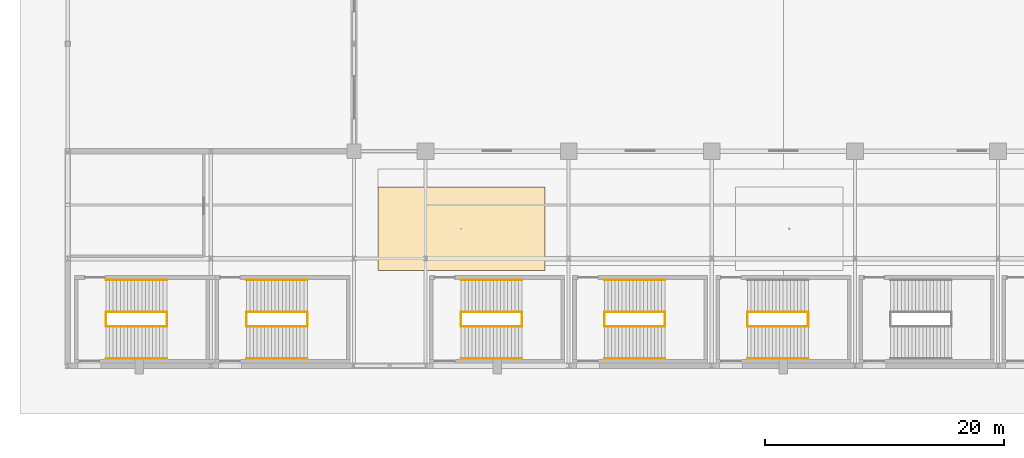
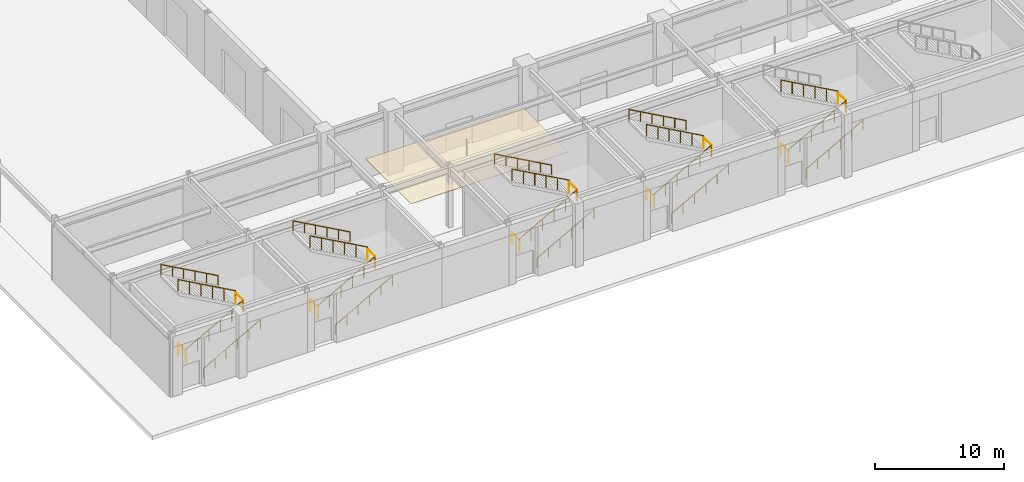
# One storey, part 36 of 44: 29 railings, 1 covering.
"""IFC4 building model written with IfcOpenShell, lengths in metres."""

from ifc_helpers import new_model, si_unit, direction, frame, origin, origin_2d, place, context, subcontext, project, spatial, polyline, circle, outline, extrude, material, layer, layer_set, type_object, element, save


model = new_model("IFC4")

# Units and contexts
model_context = context("Model", 3, precision=1e-05, world=origin(), true_north=direction((0.0, 1.0)))
body_context = subcontext(model_context, "Body", "Model", "MODEL_VIEW")
ifc_project = project(units=[si_unit("LENGTHUNIT", "METRE"), si_unit("AREAUNIT", "SQUARE_METRE"), si_unit("VOLUMEUNIT", "CUBIC_METRE"), si_unit("PLANEANGLEUNIT", "RADIAN"), si_unit("MASSUNIT", "GRAM", prefix="KILO")], contexts=[model_context])

# Site, building, storey
site_placement = place(None, origin())
site = spatial("IfcSite", under=ifc_project, at=site_placement, CompositionType="ELEMENT")
building_placement = place(site_placement, origin())
building = spatial("IfcBuilding", under=site, at=building_placement, Name="Kaldorvane Square Convention Centre", CompositionType="ELEMENT")
storey_placement = place(building_placement, origin())
storey = spatial("IfcBuildingStorey", under=building, at=storey_placement, Name="L00", CompositionType="ELEMENT", Elevation=0.0)

# Covering
ifc_material_1 = material(Name="Perforated Acoustic Mineral Fiber Ceiling")
ifc_layer = layer(ifc_material_1, 0.0399932861328125)
ifc_layer_set = layer_set([ifc_layer], Name="Perforated Acoustic Mineral Fiber Ceiling")
covering_type = type_object("IfcCoveringType", Name="CV-CEIL-040", PredefinedType="CEILING", material=ifc_layer_set)
covering_placement = place(storey_placement, frame((0.0, 0.0, 4.100006103515625)))
element("IfcCovering", 1, at=covering_placement, inside=storey, type_object=covering_type, Name="Acoustic Ceiling Canopy 01 (L00)", PredefinedType="CEILING", context=body_context, shape_type="SweptSolid", body=[
    extrude(outline(polyline([(26.0, 8.0), (40.0, 8.0), (40.0, 15.0), (26.0, 15.0), (26.0, 8.0)])), origin(), (0.0, 0.0, 1.0), 0.0399932861328125),
])

# Railings
ifc_material_2 = material(Name="Architectural Painted Steel", Category="steel")
railing_type_1 = type_object("IfcRailingType", Name="RL-GUARD-1120", PredefinedType="BALUSTRADE", material=ifc_material_2)
for number, where, name in (
    (2, (3.2100067138671875, 3.30999755859375, 0.0), "Convention Exit Stair C1 Floor Well Guard (L00)"),
    (3, (8.30999755859375, 3.30999755859375, 3.0), "Convention Exit Stair C1 Half-Landing Guard (L00)"),
):
    element("IfcRailing", number, at=place(storey_placement, frame(where)), inside=storey, type_object=railing_type_1, Name=name, PredefinedType="BALUSTRADE", context=body_context, shape_type="SweptSolid", body=[
        extrude(circle(Radius=0.0240020751953125, at=origin_2d()), frame((0.0, 0.0, 1.0959930419921875), z_axis=(0.0, 1.0, 0.0), x_axis=(-1.0, 0.0, 0.0)), (0.0, 0.0, 1.0), 1.19000244140625),
        extrude(circle(Radius=0.02099609375, at=origin_2d()), origin(), (0.0, 0.0, 1.0), 1.071990966796875),
        extrude(circle(Radius=0.02099609375, at=origin_2d()), frame((0.0, 1.19000244140625, 0.0)), (0.0, 0.0, 1.0), 1.071990966796875),
    ])
railing_1_placement = place(storey_placement, frame((3.2100067138671875, 3.3000030517578125, 0.1666717529296875)))
element("IfcRailing", 4, at=railing_1_placement, inside=storey, type_object=railing_type_1, Name="Convention Exit Stair C1 Flight 1 Guard (L00)", PredefinedType="BALUSTRADE", context=body_context, shape_type="SweptSolid", body=[
    extrude(circle(Radius=0.0240020751953125, at=origin_2d()), frame((0.0, 0.0, 1.0959930419921875), z_axis=(0.874157276122, 0.0, 0.485642931179), x_axis=(0.0, 1.0, 0.0)), (0.0, 0.0, 1.0), 5.8341827392578125),
    extrude(circle(Radius=0.02099609375, at=origin_2d()), origin(), (0.0, 0.0, 1.0), 1.071990966796875),
    extrude(circle(Radius=0.02099609375, at=origin_2d()), frame((1.0200042724609375, 0.0, 0.5666656494140625)), (0.0, 0.0, 1.0), 1.071990966796875),
    extrude(circle(Radius=0.02099609375, at=origin_2d()), frame((2.0399932861328125, 0.0, 1.133331298828125)), (0.0, 0.0, 1.0), 1.071990966796875),
    extrude(circle(Radius=0.02099609375, at=origin_2d()), frame((3.05999755859375, 0.0, 1.6999969482421875)), (0.0, 0.0, 1.0), 1.071990966796875),
    extrude(circle(Radius=0.02099609375, at=origin_2d()), frame((4.079986572265625, 0.0, 2.26666259765625)), (0.0, 0.0, 1.0), 1.071990966796875),
    extrude(circle(Radius=0.02099609375, at=origin_2d()), frame((5.0999908447265625, 0.0, 2.8333282470703125)), (0.0, 0.0, 1.0), 1.071990966796875),
])
railing_2_placement = place(storey_placement, frame((8.30999755859375, 4.5099945068359375, 3.1666717529296875)))
element("IfcRailing", 5, at=railing_2_placement, inside=storey, type_object=railing_type_1, Name="Convention Exit Stair C1 Flight 2 Guard (L00)", PredefinedType="BALUSTRADE", context=body_context, shape_type="SweptSolid", body=[
    extrude(circle(Radius=0.0240020751953125, at=origin_2d()), frame((0.0, 0.0, 1.0959930419921875), z_axis=(-0.874157276122, 0.0, 0.485642931179), x_axis=(0.0, -1.0, 0.0)), (0.0, 0.0, 1.0), 5.8341827392578125),
    extrude(circle(Radius=0.02099609375, at=origin_2d()), origin(), (0.0, 0.0, 1.0), 1.071990966796875),
    extrude(circle(Radius=0.02099609375, at=origin_2d()), frame((-1.0200042724609375, 0.0, 0.5666656494140625)), (0.0, 0.0, 1.0), 1.071990966796875),
    extrude(circle(Radius=0.02099609375, at=origin_2d()), frame((-2.0399932861328125, 0.0, 1.133331298828125)), (0.0, 0.0, 1.0), 1.071990966796875),
    extrude(circle(Radius=0.02099609375, at=origin_2d()), frame((-3.05999755859375, 0.0, 1.6999969482421875)), (0.0, 0.0, 1.0), 1.071990966796875),
    extrude(circle(Radius=0.02099609375, at=origin_2d()), frame((-4.079986572265625, 0.0, 2.26666259765625)), (0.0, 0.0, 1.0), 1.071990966796875),
    extrude(circle(Radius=0.02099609375, at=origin_2d()), frame((-5.0999908447265625, 0.0, 2.8333282470703125)), (0.0, 0.0, 1.0), 1.071990966796875),
])
for number, where, name in (
    (6, (14.990005493164062, 3.30999755859375, 0.0), "Convention Exit Stair C2 Floor Well Guard (L00)"),
    (7, (20.089996337890625, 3.30999755859375, 3.0), "Convention Exit Stair C2 Half-Landing Guard (L00)"),
):
    element("IfcRailing", number, at=place(storey_placement, frame(where)), inside=storey, type_object=railing_type_1, Name=name, PredefinedType="BALUSTRADE", context=body_context, shape_type="SweptSolid", body=[
        extrude(circle(Radius=0.0240020751953125, at=origin_2d()), frame((0.0, 0.0, 1.0959930419921875), z_axis=(0.0, 1.0, 0.0), x_axis=(-1.0, 0.0, 0.0)), (0.0, 0.0, 1.0), 1.19000244140625),
        extrude(circle(Radius=0.02099609375, at=origin_2d()), origin(), (0.0, 0.0, 1.0), 1.071990966796875),
        extrude(circle(Radius=0.02099609375, at=origin_2d()), frame((0.0, 1.19000244140625, 0.0)), (0.0, 0.0, 1.0), 1.071990966796875),
    ])
railing_3_placement = place(storey_placement, frame((14.990005493164062, 3.3000030517578125, 0.1666717529296875)))
element("IfcRailing", 8, at=railing_3_placement, inside=storey, type_object=railing_type_1, Name="Convention Exit Stair C2 Flight 1 Guard (L00)", PredefinedType="BALUSTRADE", context=body_context, shape_type="SweptSolid", body=[
    extrude(circle(Radius=0.0240020751953125, at=origin_2d()), frame((0.0, 0.0, 1.0959930419921875), z_axis=(0.874157276122, 0.0, 0.485642931179), x_axis=(0.0, 1.0, 0.0)), (0.0, 0.0, 1.0), 5.8341827392578125),
    extrude(circle(Radius=0.02099609375, at=origin_2d()), origin(), (0.0, 0.0, 1.0), 1.071990966796875),
    extrude(circle(Radius=0.02099609375, at=origin_2d()), frame((1.0200042724609375, 0.0, 0.5666656494140625)), (0.0, 0.0, 1.0), 1.071990966796875),
    extrude(circle(Radius=0.02099609375, at=origin_2d()), frame((2.0399932861328125, 0.0, 1.133331298828125)), (0.0, 0.0, 1.0), 1.071990966796875),
    extrude(circle(Radius=0.02099609375, at=origin_2d()), frame((3.05999755859375, 0.0, 1.6999969482421875)), (0.0, 0.0, 1.0), 1.071990966796875),
    extrude(circle(Radius=0.02099609375, at=origin_2d()), frame((4.079986572265625, 0.0, 2.26666259765625)), (0.0, 0.0, 1.0), 1.071990966796875),
    extrude(circle(Radius=0.02099609375, at=origin_2d()), frame((5.0999908447265625, 0.0, 2.8333282470703125)), (0.0, 0.0, 1.0), 1.071990966796875),
])
railing_4_placement = place(storey_placement, frame((20.089996337890625, 4.5099945068359375, 3.1666717529296875)))
element("IfcRailing", 9, at=railing_4_placement, inside=storey, type_object=railing_type_1, Name="Convention Exit Stair C2 Flight 2 Guard (L00)", PredefinedType="BALUSTRADE", context=body_context, shape_type="SweptSolid", body=[
    extrude(circle(Radius=0.0240020751953125, at=origin_2d()), frame((0.0, 0.0, 1.0959930419921875), z_axis=(-0.874157276122, 0.0, 0.485642931179), x_axis=(0.0, -1.0, 0.0)), (0.0, 0.0, 1.0), 5.8341827392578125),
    extrude(circle(Radius=0.02099609375, at=origin_2d()), origin(), (0.0, 0.0, 1.0), 1.071990966796875),
    extrude(circle(Radius=0.02099609375, at=origin_2d()), frame((-1.0200042724609375, 0.0, 0.5666656494140625)), (0.0, 0.0, 1.0), 1.071990966796875),
    extrude(circle(Radius=0.02099609375, at=origin_2d()), frame((-2.0399932861328125, 0.0, 1.133331298828125)), (0.0, 0.0, 1.0), 1.071990966796875),
    extrude(circle(Radius=0.02099609375, at=origin_2d()), frame((-3.05999755859375, 0.0, 1.6999969482421875)), (0.0, 0.0, 1.0), 1.071990966796875),
    extrude(circle(Radius=0.02099609375, at=origin_2d()), frame((-4.079986572265625, 0.0, 2.26666259765625)), (0.0, 0.0, 1.0), 1.071990966796875),
    extrude(circle(Radius=0.02099609375, at=origin_2d()), frame((-5.0999908447265625, 0.0, 2.8333282470703125)), (0.0, 0.0, 1.0), 1.071990966796875),
])
for number, where, name in (
    (10, (32.99000549316406, 3.30999755859375, 0.0), "Convention Exit Stair C3 Floor Well Guard (L00)"),
    (11, (38.089996337890625, 3.30999755859375, 3.0), "Convention Exit Stair C3 Half-Landing Guard (L00)"),
):
    element("IfcRailing", number, at=place(storey_placement, frame(where)), inside=storey, type_object=railing_type_1, Name=name, PredefinedType="BALUSTRADE", context=body_context, shape_type="SweptSolid", body=[
        extrude(circle(Radius=0.0240020751953125, at=origin_2d()), frame((0.0, 0.0, 1.0959930419921875), z_axis=(0.0, 1.0, 0.0), x_axis=(-1.0, 0.0, 0.0)), (0.0, 0.0, 1.0), 1.19000244140625),
        extrude(circle(Radius=0.02099609375, at=origin_2d()), origin(), (0.0, 0.0, 1.0), 1.071990966796875),
        extrude(circle(Radius=0.02099609375, at=origin_2d()), frame((0.0, 1.19000244140625, 0.0)), (0.0, 0.0, 1.0), 1.071990966796875),
    ])
railing_5_placement = place(storey_placement, frame((32.99000549316406, 3.3000030517578125, 0.1666717529296875)))
element("IfcRailing", 12, at=railing_5_placement, inside=storey, type_object=railing_type_1, Name="Convention Exit Stair C3 Flight 1 Guard (L00)", PredefinedType="BALUSTRADE", context=body_context, shape_type="SweptSolid", body=[
    extrude(circle(Radius=0.0240020751953125, at=origin_2d()), frame((0.0, 0.0, 1.0959930419921875), z_axis=(0.874157276122, 0.0, 0.485642931179), x_axis=(0.0, 1.0, 0.0)), (0.0, 0.0, 1.0), 5.8341827392578125),
    extrude(circle(Radius=0.02099609375, at=origin_2d()), origin(), (0.0, 0.0, 1.0), 1.071990966796875),
    extrude(circle(Radius=0.02099609375, at=origin_2d()), frame((1.0200042724609375, 0.0, 0.5666656494140625)), (0.0, 0.0, 1.0), 1.071990966796875),
    extrude(circle(Radius=0.02099609375, at=origin_2d()), frame((2.0399932861328125, 0.0, 1.133331298828125)), (0.0, 0.0, 1.0), 1.071990966796875),
    extrude(circle(Radius=0.02099609375, at=origin_2d()), frame((3.05999755859375, 0.0, 1.6999969482421875)), (0.0, 0.0, 1.0), 1.071990966796875),
    extrude(circle(Radius=0.02099609375, at=origin_2d()), frame((4.079986572265625, 0.0, 2.26666259765625)), (0.0, 0.0, 1.0), 1.071990966796875),
    extrude(circle(Radius=0.02099609375, at=origin_2d()), frame((5.0999908447265625, 0.0, 2.8333282470703125)), (0.0, 0.0, 1.0), 1.071990966796875),
])
railing_6_placement = place(storey_placement, frame((38.089996337890625, 4.5099945068359375, 3.1666717529296875)))
element("IfcRailing", 13, at=railing_6_placement, inside=storey, type_object=railing_type_1, Name="Convention Exit Stair C3 Flight 2 Guard (L00)", PredefinedType="BALUSTRADE", context=body_context, shape_type="SweptSolid", body=[
    extrude(circle(Radius=0.0240020751953125, at=origin_2d()), frame((0.0, 0.0, 1.0959930419921875), z_axis=(-0.874157276122, 0.0, 0.485642931179), x_axis=(0.0, -1.0, 0.0)), (0.0, 0.0, 1.0), 5.8341827392578125),
    extrude(circle(Radius=0.02099609375, at=origin_2d()), origin(), (0.0, 0.0, 1.0), 1.071990966796875),
    extrude(circle(Radius=0.02099609375, at=origin_2d()), frame((-1.0200042724609375, 0.0, 0.5666656494140625)), (0.0, 0.0, 1.0), 1.071990966796875),
    extrude(circle(Radius=0.02099609375, at=origin_2d()), frame((-2.0399932861328125, 0.0, 1.133331298828125)), (0.0, 0.0, 1.0), 1.071990966796875),
    extrude(circle(Radius=0.02099609375, at=origin_2d()), frame((-3.05999755859375, 0.0, 1.6999969482421875)), (0.0, 0.0, 1.0), 1.071990966796875),
    extrude(circle(Radius=0.02099609375, at=origin_2d()), frame((-4.079986572265625, 0.0, 2.26666259765625)), (0.0, 0.0, 1.0), 1.071990966796875),
    extrude(circle(Radius=0.02099609375, at=origin_2d()), frame((-5.0999908447265625, 0.0, 2.8333282470703125)), (0.0, 0.0, 1.0), 1.071990966796875),
])
for number, where, name in (
    (14, (44.99000549316406, 3.30999755859375, 0.0), "Convention Exit Stair C4 Floor Well Guard (L00)"),
    (15, (50.089996337890625, 3.30999755859375, 3.0), "Convention Exit Stair C4 Half-Landing Guard (L00)"),
):
    element("IfcRailing", number, at=place(storey_placement, frame(where)), inside=storey, type_object=railing_type_1, Name=name, PredefinedType="BALUSTRADE", context=body_context, shape_type="SweptSolid", body=[
        extrude(circle(Radius=0.0240020751953125, at=origin_2d()), frame((0.0, 0.0, 1.0959930419921875), z_axis=(0.0, 1.0, 0.0), x_axis=(-1.0, 0.0, 0.0)), (0.0, 0.0, 1.0), 1.19000244140625),
        extrude(circle(Radius=0.02099609375, at=origin_2d()), origin(), (0.0, 0.0, 1.0), 1.071990966796875),
        extrude(circle(Radius=0.02099609375, at=origin_2d()), frame((0.0, 1.19000244140625, 0.0)), (0.0, 0.0, 1.0), 1.071990966796875),
    ])
railing_7_placement = place(storey_placement, frame((44.99000549316406, 3.3000030517578125, 0.1666717529296875)))
element("IfcRailing", 16, at=railing_7_placement, inside=storey, type_object=railing_type_1, Name="Convention Exit Stair C4 Flight 1 Guard (L00)", PredefinedType="BALUSTRADE", context=body_context, shape_type="SweptSolid", body=[
    extrude(circle(Radius=0.0240020751953125, at=origin_2d()), frame((0.0, 0.0, 1.0959930419921875), z_axis=(0.874157276122, 0.0, 0.485642931179), x_axis=(0.0, 1.0, 0.0)), (0.0, 0.0, 1.0), 5.8341827392578125),
    extrude(circle(Radius=0.02099609375, at=origin_2d()), origin(), (0.0, 0.0, 1.0), 1.071990966796875),
    extrude(circle(Radius=0.02099609375, at=origin_2d()), frame((1.0200042724609375, 0.0, 0.5666656494140625)), (0.0, 0.0, 1.0), 1.071990966796875),
    extrude(circle(Radius=0.02099609375, at=origin_2d()), frame((2.0399932861328125, 0.0, 1.133331298828125)), (0.0, 0.0, 1.0), 1.071990966796875),
    extrude(circle(Radius=0.02099609375, at=origin_2d()), frame((3.05999755859375, 0.0, 1.6999969482421875)), (0.0, 0.0, 1.0), 1.071990966796875),
    extrude(circle(Radius=0.02099609375, at=origin_2d()), frame((4.079986572265625, 0.0, 2.26666259765625)), (0.0, 0.0, 1.0), 1.071990966796875),
    extrude(circle(Radius=0.02099609375, at=origin_2d()), frame((5.0999908447265625, 0.0, 2.8333282470703125)), (0.0, 0.0, 1.0), 1.071990966796875),
])
railing_8_placement = place(storey_placement, frame((50.089996337890625, 4.5099945068359375, 3.1666717529296875)))
element("IfcRailing", 17, at=railing_8_placement, inside=storey, type_object=railing_type_1, Name="Convention Exit Stair C4 Flight 2 Guard (L00)", PredefinedType="BALUSTRADE", context=body_context, shape_type="SweptSolid", body=[
    extrude(circle(Radius=0.0240020751953125, at=origin_2d()), frame((0.0, 0.0, 1.0959930419921875), z_axis=(-0.874157276122, 0.0, 0.485642931179), x_axis=(0.0, -1.0, 0.0)), (0.0, 0.0, 1.0), 5.8341827392578125),
    extrude(circle(Radius=0.02099609375, at=origin_2d()), origin(), (0.0, 0.0, 1.0), 1.071990966796875),
    extrude(circle(Radius=0.02099609375, at=origin_2d()), frame((-1.0200042724609375, 0.0, 0.5666656494140625)), (0.0, 0.0, 1.0), 1.071990966796875),
    extrude(circle(Radius=0.02099609375, at=origin_2d()), frame((-2.0399932861328125, 0.0, 1.133331298828125)), (0.0, 0.0, 1.0), 1.071990966796875),
    extrude(circle(Radius=0.02099609375, at=origin_2d()), frame((-3.05999755859375, 0.0, 1.6999969482421875)), (0.0, 0.0, 1.0), 1.071990966796875),
    extrude(circle(Radius=0.02099609375, at=origin_2d()), frame((-4.079986572265625, 0.0, 2.26666259765625)), (0.0, 0.0, 1.0), 1.071990966796875),
    extrude(circle(Radius=0.02099609375, at=origin_2d()), frame((-5.0999908447265625, 0.0, 2.8333282470703125)), (0.0, 0.0, 1.0), 1.071990966796875),
])
for number, where, name in (
    (18, (56.99000549316406, 3.30999755859375, 0.0), "Convention Exit Stair C5 Floor Well Guard (L00)"),
    (19, (62.089996337890625, 3.30999755859375, 3.0), "Convention Exit Stair C5 Half-Landing Guard (L00)"),
):
    element("IfcRailing", number, at=place(storey_placement, frame(where)), inside=storey, type_object=railing_type_1, Name=name, PredefinedType="BALUSTRADE", context=body_context, shape_type="SweptSolid", body=[
        extrude(circle(Radius=0.0240020751953125, at=origin_2d()), frame((0.0, 0.0, 1.0959930419921875), z_axis=(0.0, 1.0, 0.0), x_axis=(-1.0, 0.0, 0.0)), (0.0, 0.0, 1.0), 1.19000244140625),
        extrude(circle(Radius=0.02099609375, at=origin_2d()), origin(), (0.0, 0.0, 1.0), 1.071990966796875),
        extrude(circle(Radius=0.02099609375, at=origin_2d()), frame((0.0, 1.19000244140625, 0.0)), (0.0, 0.0, 1.0), 1.071990966796875),
    ])
railing_9_placement = place(storey_placement, frame((56.99000549316406, 3.3000030517578125, 0.1666717529296875)))
element("IfcRailing", 20, at=railing_9_placement, inside=storey, type_object=railing_type_1, Name="Convention Exit Stair C5 Flight 1 Guard (L00)", PredefinedType="BALUSTRADE", context=body_context, shape_type="SweptSolid", body=[
    extrude(circle(Radius=0.0240020751953125, at=origin_2d()), frame((0.0, 0.0, 1.0959930419921875), z_axis=(0.874157276122, 0.0, 0.485642931179), x_axis=(0.0, 1.0, 0.0)), (0.0, 0.0, 1.0), 5.8341827392578125),
    extrude(circle(Radius=0.02099609375, at=origin_2d()), origin(), (0.0, 0.0, 1.0), 1.071990966796875),
    extrude(circle(Radius=0.02099609375, at=origin_2d()), frame((1.0200042724609375, 0.0, 0.5666656494140625)), (0.0, 0.0, 1.0), 1.071990966796875),
    extrude(circle(Radius=0.02099609375, at=origin_2d()), frame((2.0399932861328125, 0.0, 1.133331298828125)), (0.0, 0.0, 1.0), 1.071990966796875),
    extrude(circle(Radius=0.02099609375, at=origin_2d()), frame((3.05999755859375, 0.0, 1.6999969482421875)), (0.0, 0.0, 1.0), 1.071990966796875),
    extrude(circle(Radius=0.02099609375, at=origin_2d()), frame((4.079986572265625, 0.0, 2.26666259765625)), (0.0, 0.0, 1.0), 1.071990966796875),
    extrude(circle(Radius=0.02099609375, at=origin_2d()), frame((5.0999908447265625, 0.0, 2.8333282470703125)), (0.0, 0.0, 1.0), 1.071990966796875),
])
railing_10_placement = place(storey_placement, frame((62.089996337890625, 4.5099945068359375, 3.1666717529296875)))
element("IfcRailing", 21, at=railing_10_placement, inside=storey, type_object=railing_type_1, Name="Convention Exit Stair C5 Flight 2 Guard (L00)", PredefinedType="BALUSTRADE", context=body_context, shape_type="SweptSolid", body=[
    extrude(circle(Radius=0.0240020751953125, at=origin_2d()), frame((0.0, 0.0, 1.0959930419921875), z_axis=(-0.874157276122, 0.0, 0.485642931179), x_axis=(0.0, -1.0, 0.0)), (0.0, 0.0, 1.0), 5.8341827392578125),
    extrude(circle(Radius=0.02099609375, at=origin_2d()), origin(), (0.0, 0.0, 1.0), 1.071990966796875),
    extrude(circle(Radius=0.02099609375, at=origin_2d()), frame((-1.0200042724609375, 0.0, 0.5666656494140625)), (0.0, 0.0, 1.0), 1.071990966796875),
    extrude(circle(Radius=0.02099609375, at=origin_2d()), frame((-2.0399932861328125, 0.0, 1.133331298828125)), (0.0, 0.0, 1.0), 1.071990966796875),
    extrude(circle(Radius=0.02099609375, at=origin_2d()), frame((-3.05999755859375, 0.0, 1.6999969482421875)), (0.0, 0.0, 1.0), 1.071990966796875),
    extrude(circle(Radius=0.02099609375, at=origin_2d()), frame((-4.079986572265625, 0.0, 2.26666259765625)), (0.0, 0.0, 1.0), 1.071990966796875),
    extrude(circle(Radius=0.02099609375, at=origin_2d()), frame((-5.0999908447265625, 0.0, 2.8333282470703125)), (0.0, 0.0, 1.0), 1.071990966796875),
])
railing_type_2 = type_object("IfcRailingType", Name="RL-HAND-915", PredefinedType="HANDRAIL", material=ifc_material_2)
railing_11_placement = place(storey_placement, frame((3.2100067138671875, 0.6199951171875, 0.1666717529296875)))
element("IfcRailing", 22, at=railing_11_placement, inside=storey, type_object=railing_type_2, Name="Convention Exit Stair C1 Wall Handrail 1 (L00)", PredefinedType="HANDRAIL", context=body_context, shape_type="SweptSolid", body=[
    extrude(circle(Radius=0.0240020751953125, at=origin_2d()), frame((0.0, 0.0, 0.8909912109375), z_axis=(0.874157276122, 0.0, 0.485642931179), x_axis=(0.0, 1.0, 0.0)), (0.0, 0.0, 1.0), 5.8341827392578125),
    extrude(circle(Radius=0.02099609375, at=origin_2d()), origin(), (0.0, 0.0, 1.0), 0.8669891357421875),
    extrude(circle(Radius=0.02099609375, at=origin_2d()), frame((1.0200042724609375, 0.0, 0.5666656494140625)), (0.0, 0.0, 1.0), 0.8669891357421875),
    extrude(circle(Radius=0.02099609375, at=origin_2d()), frame((2.0399932861328125, 0.0, 1.133331298828125)), (0.0, 0.0, 1.0), 0.8669891357421875),
    extrude(circle(Radius=0.02099609375, at=origin_2d()), frame((3.05999755859375, 0.0, 1.6999969482421875)), (0.0, 0.0, 1.0), 0.8669891357421875),
    extrude(circle(Radius=0.02099609375, at=origin_2d()), frame((4.079986572265625, 0.0, 2.26666259765625)), (0.0, 0.0, 1.0), 0.8669891357421875),
    extrude(circle(Radius=0.02099609375, at=origin_2d()), frame((5.0999908447265625, 0.0, 2.8333282470703125)), (0.0, 0.0, 1.0), 0.8669891357421875),
])
railing_12_placement = place(storey_placement, frame((8.30999755859375, 7.19000244140625, 3.1666717529296875)))
element("IfcRailing", 23, at=railing_12_placement, inside=storey, type_object=railing_type_2, Name="Convention Exit Stair C1 Wall Handrail 2 (L00)", PredefinedType="HANDRAIL", context=body_context, shape_type="SweptSolid", body=[
    extrude(circle(Radius=0.0240020751953125, at=origin_2d()), frame((0.0, 0.0, 0.8909912109375), z_axis=(-0.874157276122, 0.0, 0.485642931179), x_axis=(0.0, -1.0, 0.0)), (0.0, 0.0, 1.0), 5.8341827392578125),
    extrude(circle(Radius=0.02099609375, at=origin_2d()), origin(), (0.0, 0.0, 1.0), 0.8669891357421875),
    extrude(circle(Radius=0.02099609375, at=origin_2d()), frame((-1.0200042724609375, 0.0, 0.5666656494140625)), (0.0, 0.0, 1.0), 0.8669891357421875),
    extrude(circle(Radius=0.02099609375, at=origin_2d()), frame((-2.0399932861328125, 0.0, 1.133331298828125)), (0.0, 0.0, 1.0), 0.8669891357421875),
    extrude(circle(Radius=0.02099609375, at=origin_2d()), frame((-3.05999755859375, 0.0, 1.6999969482421875)), (0.0, 0.0, 1.0), 0.8669891357421875),
    extrude(circle(Radius=0.02099609375, at=origin_2d()), frame((-4.079986572265625, 0.0, 2.26666259765625)), (0.0, 0.0, 1.0), 0.8669891357421875),
    extrude(circle(Radius=0.02099609375, at=origin_2d()), frame((-5.0999908447265625, 0.0, 2.8333282470703125)), (0.0, 0.0, 1.0), 0.8669891357421875),
])
railing_13_placement = place(storey_placement, frame((14.990005493164062, 0.6199951171875, 0.1666717529296875)))
element("IfcRailing", 24, at=railing_13_placement, inside=storey, type_object=railing_type_2, Name="Convention Exit Stair C2 Wall Handrail 1 (L00)", PredefinedType="HANDRAIL", context=body_context, shape_type="SweptSolid", body=[
    extrude(circle(Radius=0.0240020751953125, at=origin_2d()), frame((0.0, 0.0, 0.8909912109375), z_axis=(0.874157276122, 0.0, 0.485642931179), x_axis=(0.0, 1.0, 0.0)), (0.0, 0.0, 1.0), 5.8341827392578125),
    extrude(circle(Radius=0.02099609375, at=origin_2d()), origin(), (0.0, 0.0, 1.0), 0.8669891357421875),
    extrude(circle(Radius=0.02099609375, at=origin_2d()), frame((1.0200042724609375, 0.0, 0.5666656494140625)), (0.0, 0.0, 1.0), 0.8669891357421875),
    extrude(circle(Radius=0.02099609375, at=origin_2d()), frame((2.0399932861328125, 0.0, 1.133331298828125)), (0.0, 0.0, 1.0), 0.8669891357421875),
    extrude(circle(Radius=0.02099609375, at=origin_2d()), frame((3.05999755859375, 0.0, 1.6999969482421875)), (0.0, 0.0, 1.0), 0.8669891357421875),
    extrude(circle(Radius=0.02099609375, at=origin_2d()), frame((4.079986572265625, 0.0, 2.26666259765625)), (0.0, 0.0, 1.0), 0.8669891357421875),
    extrude(circle(Radius=0.02099609375, at=origin_2d()), frame((5.0999908447265625, 0.0, 2.8333282470703125)), (0.0, 0.0, 1.0), 0.8669891357421875),
])
railing_14_placement = place(storey_placement, frame((20.089996337890625, 7.19000244140625, 3.1666717529296875)))
element("IfcRailing", 25, at=railing_14_placement, inside=storey, type_object=railing_type_2, Name="Convention Exit Stair C2 Wall Handrail 2 (L00)", PredefinedType="HANDRAIL", context=body_context, shape_type="SweptSolid", body=[
    extrude(circle(Radius=0.0240020751953125, at=origin_2d()), frame((0.0, 0.0, 0.8909912109375), z_axis=(-0.874157276122, 0.0, 0.485642931179), x_axis=(0.0, -1.0, 0.0)), (0.0, 0.0, 1.0), 5.8341827392578125),
    extrude(circle(Radius=0.02099609375, at=origin_2d()), origin(), (0.0, 0.0, 1.0), 0.8669891357421875),
    extrude(circle(Radius=0.02099609375, at=origin_2d()), frame((-1.0200042724609375, 0.0, 0.5666656494140625)), (0.0, 0.0, 1.0), 0.8669891357421875),
    extrude(circle(Radius=0.02099609375, at=origin_2d()), frame((-2.0399932861328125, 0.0, 1.133331298828125)), (0.0, 0.0, 1.0), 0.8669891357421875),
    extrude(circle(Radius=0.02099609375, at=origin_2d()), frame((-3.05999755859375, 0.0, 1.6999969482421875)), (0.0, 0.0, 1.0), 0.8669891357421875),
    extrude(circle(Radius=0.02099609375, at=origin_2d()), frame((-4.079986572265625, 0.0, 2.26666259765625)), (0.0, 0.0, 1.0), 0.8669891357421875),
    extrude(circle(Radius=0.02099609375, at=origin_2d()), frame((-5.0999908447265625, 0.0, 2.8333282470703125)), (0.0, 0.0, 1.0), 0.8669891357421875),
])
railing_15_placement = place(storey_placement, frame((32.99000549316406, 0.6199951171875, 0.1666717529296875)))
element("IfcRailing", 26, at=railing_15_placement, inside=storey, type_object=railing_type_2, Name="Convention Exit Stair C3 Wall Handrail 1 (L00)", PredefinedType="HANDRAIL", context=body_context, shape_type="SweptSolid", body=[
    extrude(circle(Radius=0.0240020751953125, at=origin_2d()), frame((0.0, 0.0, 0.8909912109375), z_axis=(0.874157276122, 0.0, 0.485642931179), x_axis=(0.0, 1.0, 0.0)), (0.0, 0.0, 1.0), 5.8341827392578125),
    extrude(circle(Radius=0.02099609375, at=origin_2d()), origin(), (0.0, 0.0, 1.0), 0.8669891357421875),
    extrude(circle(Radius=0.02099609375, at=origin_2d()), frame((1.0200042724609375, 0.0, 0.5666656494140625)), (0.0, 0.0, 1.0), 0.8669891357421875),
    extrude(circle(Radius=0.02099609375, at=origin_2d()), frame((2.0399932861328125, 0.0, 1.133331298828125)), (0.0, 0.0, 1.0), 0.8669891357421875),
    extrude(circle(Radius=0.02099609375, at=origin_2d()), frame((3.05999755859375, 0.0, 1.6999969482421875)), (0.0, 0.0, 1.0), 0.8669891357421875),
    extrude(circle(Radius=0.02099609375, at=origin_2d()), frame((4.079986572265625, 0.0, 2.26666259765625)), (0.0, 0.0, 1.0), 0.8669891357421875),
    extrude(circle(Radius=0.02099609375, at=origin_2d()), frame((5.0999908447265625, 0.0, 2.8333282470703125)), (0.0, 0.0, 1.0), 0.8669891357421875),
])
railing_16_placement = place(storey_placement, frame((38.089996337890625, 7.19000244140625, 3.1666717529296875)))
element("IfcRailing", 27, at=railing_16_placement, inside=storey, type_object=railing_type_2, Name="Convention Exit Stair C3 Wall Handrail 2 (L00)", PredefinedType="HANDRAIL", context=body_context, shape_type="SweptSolid", body=[
    extrude(circle(Radius=0.0240020751953125, at=origin_2d()), frame((0.0, 0.0, 0.8909912109375), z_axis=(-0.874157276122, 0.0, 0.485642931179), x_axis=(0.0, -1.0, 0.0)), (0.0, 0.0, 1.0), 5.8341827392578125),
    extrude(circle(Radius=0.02099609375, at=origin_2d()), origin(), (0.0, 0.0, 1.0), 0.8669891357421875),
    extrude(circle(Radius=0.02099609375, at=origin_2d()), frame((-1.0200042724609375, 0.0, 0.5666656494140625)), (0.0, 0.0, 1.0), 0.8669891357421875),
    extrude(circle(Radius=0.02099609375, at=origin_2d()), frame((-2.0399932861328125, 0.0, 1.133331298828125)), (0.0, 0.0, 1.0), 0.8669891357421875),
    extrude(circle(Radius=0.02099609375, at=origin_2d()), frame((-3.05999755859375, 0.0, 1.6999969482421875)), (0.0, 0.0, 1.0), 0.8669891357421875),
    extrude(circle(Radius=0.02099609375, at=origin_2d()), frame((-4.079986572265625, 0.0, 2.26666259765625)), (0.0, 0.0, 1.0), 0.8669891357421875),
    extrude(circle(Radius=0.02099609375, at=origin_2d()), frame((-5.0999908447265625, 0.0, 2.8333282470703125)), (0.0, 0.0, 1.0), 0.8669891357421875),
])
railing_17_placement = place(storey_placement, frame((44.99000549316406, 0.6199951171875, 0.1666717529296875)))
element("IfcRailing", 28, at=railing_17_placement, inside=storey, type_object=railing_type_2, Name="Convention Exit Stair C4 Wall Handrail 1 (L00)", PredefinedType="HANDRAIL", context=body_context, shape_type="SweptSolid", body=[
    extrude(circle(Radius=0.0240020751953125, at=origin_2d()), frame((0.0, 0.0, 0.8909912109375), z_axis=(0.874157276122, 0.0, 0.485642931179), x_axis=(0.0, 1.0, 0.0)), (0.0, 0.0, 1.0), 5.8341827392578125),
    extrude(circle(Radius=0.02099609375, at=origin_2d()), origin(), (0.0, 0.0, 1.0), 0.8669891357421875),
    extrude(circle(Radius=0.02099609375, at=origin_2d()), frame((1.0200042724609375, 0.0, 0.5666656494140625)), (0.0, 0.0, 1.0), 0.8669891357421875),
    extrude(circle(Radius=0.02099609375, at=origin_2d()), frame((2.0399932861328125, 0.0, 1.133331298828125)), (0.0, 0.0, 1.0), 0.8669891357421875),
    extrude(circle(Radius=0.02099609375, at=origin_2d()), frame((3.05999755859375, 0.0, 1.6999969482421875)), (0.0, 0.0, 1.0), 0.8669891357421875),
    extrude(circle(Radius=0.02099609375, at=origin_2d()), frame((4.079986572265625, 0.0, 2.26666259765625)), (0.0, 0.0, 1.0), 0.8669891357421875),
    extrude(circle(Radius=0.02099609375, at=origin_2d()), frame((5.0999908447265625, 0.0, 2.8333282470703125)), (0.0, 0.0, 1.0), 0.8669891357421875),
])
railing_18_placement = place(storey_placement, frame((50.089996337890625, 7.19000244140625, 3.1666717529296875)))
element("IfcRailing", 29, at=railing_18_placement, inside=storey, type_object=railing_type_2, Name="Convention Exit Stair C4 Wall Handrail 2 (L00)", PredefinedType="HANDRAIL", context=body_context, shape_type="SweptSolid", body=[
    extrude(circle(Radius=0.0240020751953125, at=origin_2d()), frame((0.0, 0.0, 0.8909912109375), z_axis=(-0.874157276122, 0.0, 0.485642931179), x_axis=(0.0, -1.0, 0.0)), (0.0, 0.0, 1.0), 5.8341827392578125),
    extrude(circle(Radius=0.02099609375, at=origin_2d()), origin(), (0.0, 0.0, 1.0), 0.8669891357421875),
    extrude(circle(Radius=0.02099609375, at=origin_2d()), frame((-1.0200042724609375, 0.0, 0.5666656494140625)), (0.0, 0.0, 1.0), 0.8669891357421875),
    extrude(circle(Radius=0.02099609375, at=origin_2d()), frame((-2.0399932861328125, 0.0, 1.133331298828125)), (0.0, 0.0, 1.0), 0.8669891357421875),
    extrude(circle(Radius=0.02099609375, at=origin_2d()), frame((-3.05999755859375, 0.0, 1.6999969482421875)), (0.0, 0.0, 1.0), 0.8669891357421875),
    extrude(circle(Radius=0.02099609375, at=origin_2d()), frame((-4.079986572265625, 0.0, 2.26666259765625)), (0.0, 0.0, 1.0), 0.8669891357421875),
    extrude(circle(Radius=0.02099609375, at=origin_2d()), frame((-5.0999908447265625, 0.0, 2.8333282470703125)), (0.0, 0.0, 1.0), 0.8669891357421875),
])
railing_19_placement = place(storey_placement, frame((56.99000549316406, 0.6199951171875, 0.1666717529296875)))
element("IfcRailing", 30, at=railing_19_placement, inside=storey, type_object=railing_type_2, Name="Convention Exit Stair C5 Wall Handrail 1 (L00)", PredefinedType="HANDRAIL", context=body_context, shape_type="SweptSolid", body=[
    extrude(circle(Radius=0.0240020751953125, at=origin_2d()), frame((0.0, 0.0, 0.8909912109375), z_axis=(0.874157276122, 0.0, 0.485642931179), x_axis=(0.0, 1.0, 0.0)), (0.0, 0.0, 1.0), 5.8341827392578125),
    extrude(circle(Radius=0.02099609375, at=origin_2d()), origin(), (0.0, 0.0, 1.0), 0.8669891357421875),
    extrude(circle(Radius=0.02099609375, at=origin_2d()), frame((1.0200042724609375, 0.0, 0.5666656494140625)), (0.0, 0.0, 1.0), 0.8669891357421875),
    extrude(circle(Radius=0.02099609375, at=origin_2d()), frame((2.0399932861328125, 0.0, 1.133331298828125)), (0.0, 0.0, 1.0), 0.8669891357421875),
    extrude(circle(Radius=0.02099609375, at=origin_2d()), frame((3.05999755859375, 0.0, 1.6999969482421875)), (0.0, 0.0, 1.0), 0.8669891357421875),
    extrude(circle(Radius=0.02099609375, at=origin_2d()), frame((4.079986572265625, 0.0, 2.26666259765625)), (0.0, 0.0, 1.0), 0.8669891357421875),
    extrude(circle(Radius=0.02099609375, at=origin_2d()), frame((5.0999908447265625, 0.0, 2.8333282470703125)), (0.0, 0.0, 1.0), 0.8669891357421875),
])

save(model, "model.ifc")
